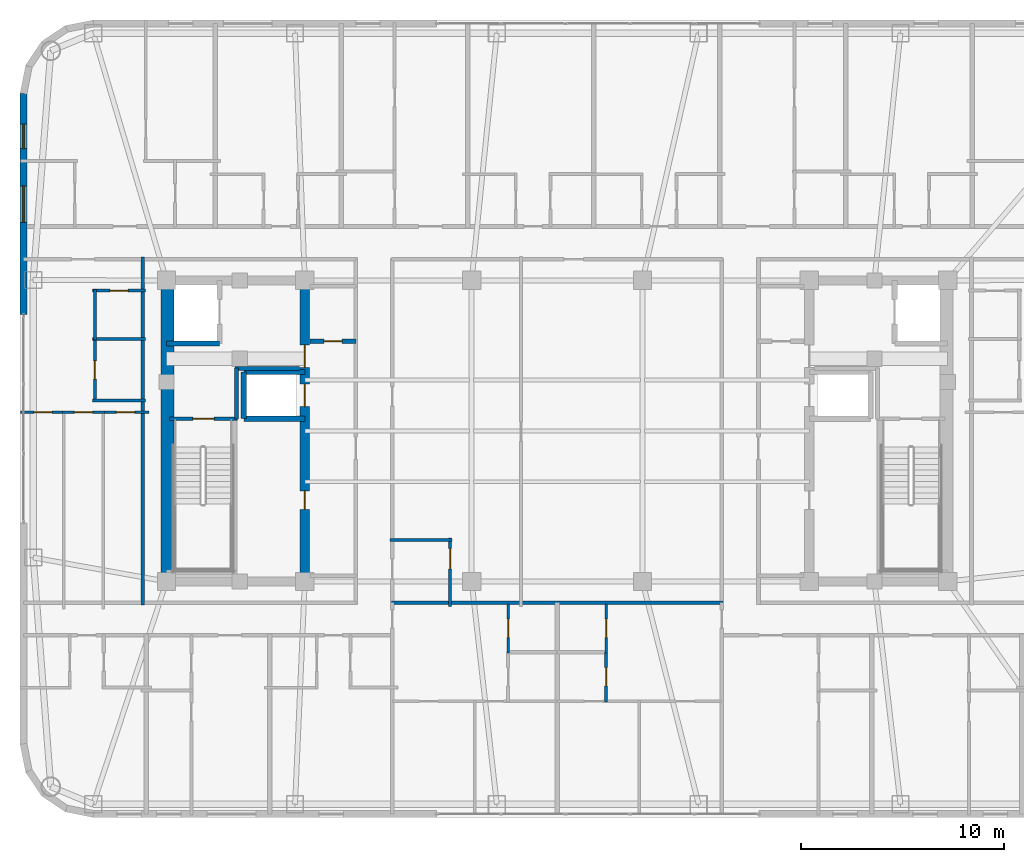
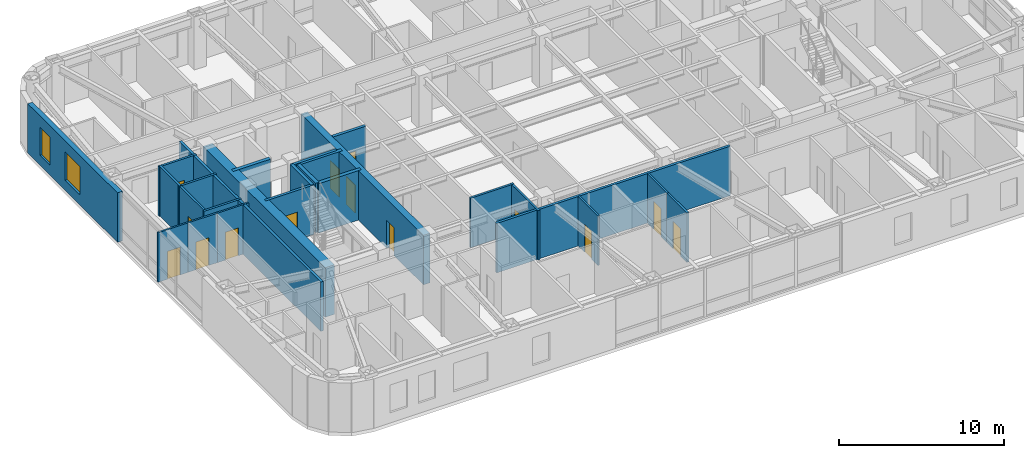
# One storey, part 22 of 29: 26 walls, 14 doors, 2 windows, 16 openings.
"""IFC4 building model written with IfcOpenShell, lengths in metres."""

from ifc_helpers import new_model, si_unit, direction, frame, frame_2d, origin, place, context, subcontext, project, spatial, rectangle, extrude, material, layer, layer_set, type_object, element, fill, save


model = new_model("IFC4")

# Units and contexts
model_context = context("Model", 3, precision=1e-05, world=origin(), true_north=direction((0.0, 1.0)))
body_context = subcontext(model_context, "Body", "Model", "MODEL_VIEW")
ifc_project = project(units=[si_unit("LENGTHUNIT", "METRE"), si_unit("AREAUNIT", "SQUARE_METRE"), si_unit("VOLUMEUNIT", "CUBIC_METRE"), si_unit("PLANEANGLEUNIT", "RADIAN"), si_unit("MASSUNIT", "GRAM", prefix="KILO")], contexts=[model_context])

# Site, building, storey
site_placement = place(None, origin())
site = spatial("IfcSite", under=ifc_project, at=site_placement, CompositionType="ELEMENT")
building_placement = place(site_placement, origin())
building = spatial("IfcBuilding", under=site, at=building_placement, Name="Voryun Gate Residences", CompositionType="ELEMENT")
storey_placement = place(building_placement, frame((0.0, 0.0, 211.89990234375)))
storey = spatial("IfcBuildingStorey", under=building, at=storey_placement, Name="L52", CompositionType="ELEMENT", Elevation=211.89990234375)

# Wall, openings, doors
ifc_material_1 = material(Name="Concrete C50/60", Category="concrete")
ifc_layer_1 = layer(ifc_material_1, 0.449951171875, Name="CW_CORE_450")
ifc_layer_set_1 = layer_set([ifc_layer_1], Name="Concrete C50/60")
wall_type_1 = type_object("IfcWallType", Name="CW_CORE_450", PredefinedType="SHEAR", material=ifc_layer_set_1)
wall_1_placement = place(storey_placement, frame((-12.39990234375, -7.39990234375, 0.0), z_axis=(0.0, 0.0, 1.0), x_axis=(0.0, 1.0, 0.0)))
wall_1 = element("IfcWall", 1, at=wall_1_placement, inside=storey, type_object=wall_type_1, Name="L52 Core shear wall CW-L52-WE", PredefinedType="SHEAR", context=body_context, shape_type="SweptSolid", body=[
    extrude(rectangle(XDim=14.7998046875, YDim=0.449951171875, at=frame_2d((7.39990234375, 0.0))), origin(), (0.0, 0.0, 1.0), 3.650146484375),
])
opening_1_placement = place(wall_1_placement, frame((8.60009765625, 0.0, 0.0)))
opening_1 = element("IfcOpeningElement", 2, at=opening_1_placement, cuts=wall_1, Name="Opening LD2", PredefinedType="OPENING", context=body_context, shape_type="SweptSolid", body=[
    extrude(rectangle(XDim=1.10009765625, YDim=2.050048828125, at=frame_2d((0.550048828125, 1.02490234375))), frame((0.0, 0.235107421875, 0.0), z_axis=(0.0, -1.0, 0.0), x_axis=(1.0, 0.0, 0.0)), (0.0, 0.0, 1.0), 0.469970703125),
])
opening_2_placement = place(wall_1_placement, frame((10.530029296875, 0.0, 0.0)))
opening_2 = element("IfcOpeningElement", 3, at=opening_2_placement, cuts=wall_1, Name="Opening D-FD60-2", PredefinedType="OPENING", context=body_context, shape_type="SweptSolid", body=[
    extrude(rectangle(XDim=1.10009765625, YDim=2.050048828125, at=frame_2d((0.550048828125, 1.02490234375))), frame((0.0, 0.235107421875, 0.0), z_axis=(0.0, -1.0, 0.0), x_axis=(1.0, 0.0, 0.0)), (0.0, 0.0, 1.0), 0.469970703125),
])
opening_3_placement = place(wall_1_placement, frame((3.550048828125, 0.0, 0.0)))
opening_3 = element("IfcOpeningElement", 4, at=opening_3_placement, cuts=wall_1, Name="Opening D-FD60-4", PredefinedType="OPENING", context=body_context, shape_type="SweptSolid", body=[
    extrude(rectangle(XDim=0.89990234375, YDim=2.050048828125, at=frame_2d((0.449951171875, 1.02490234375))), frame((0.0, 0.235107421875, 0.0), z_axis=(0.0, -1.0, 0.0), x_axis=(1.0, 0.0, 0.0)), (0.0, 0.0, 1.0), 0.469970703125),
])
ifc_material_2 = material(Name="Painted steel fire door", Category="steel")
door_type_1 = type_object("IfcDoorType", Name="DR_FD60_FFLOB_1100", OperationType="NOTDEFINED", PredefinedType="DOOR", material=ifc_material_2)
door_1_placement = place(opening_2_placement, origin())
door_1 = element("IfcDoor", 5, at=door_1_placement, inside=storey, type_object=door_type_1, Name="Door DR-L52-CLOB-W", OperationType="SINGLE_SWING_LEFT", OverallHeight=2.050048828125, OverallWidth=1.10009765625, PredefinedType="DOOR", context=body_context, shape_type="SweptSolid", body=[
    extrude(rectangle(XDim=1.10009765625, YDim=2.050048828125, at=frame_2d((0.550048828125, 1.02490234375))), frame((0.0, 0.02490234375, 0.0), z_axis=(0.0, -1.0, 0.0), x_axis=(1.0, 0.0, 0.0)), (0.0, 0.0, 1.0), 0.050048828125),
])
fill(opening_2, door_1)
ifc_material_3 = material(Name="Painted steel fire door", Category="steel")
door_type_2 = type_object("IfcDoorType", Name="DR_FD60_RISER_900", OperationType="NOTDEFINED", PredefinedType="DOOR", material=ifc_material_3)
door_2_placement = place(opening_3_placement, origin())
door_2 = element("IfcDoor", 6, at=door_2_placement, inside=storey, type_object=door_type_2, Name="Door DR-L52-RECW-HI", OperationType="SINGLE_SWING_LEFT", OverallHeight=2.050048828125, OverallWidth=0.89990234375, PredefinedType="DOOR", context=body_context, shape_type="SweptSolid", body=[
    extrude(rectangle(XDim=0.89990234375, YDim=2.050048828125, at=frame_2d((0.449951171875, 1.02490234375))), frame((0.0, 0.02490234375, 0.0), z_axis=(0.0, -1.0, 0.0), x_axis=(1.0, 0.0, 0.0)), (0.0, 0.0, 1.0), 0.050048828125),
])
fill(opening_3, door_2)
ifc_material_4 = material(Name="Anodised aluminium", Category="aluminium")
door_type_3 = type_object("IfcDoorType", Name="DR_LD_PASS_1100", OperationType="NOTDEFINED", PredefinedType="DOOR", material=ifc_material_4)
door_3_placement = place(opening_1_placement, origin())
door_3 = element("IfcDoor", 7, at=door_3_placement, inside=storey, type_object=door_type_3, Name="Lift EL-P7 sliding landing door L52", OperationType="SLIDING_TO_LEFT", OverallHeight=2.050048828125, OverallWidth=1.10009765625, PredefinedType="DOOR", context=body_context, shape_type="SweptSolid", body=[
    extrude(rectangle(XDim=1.10009765625, YDim=2.050048828125, at=frame_2d((0.550048828125, 1.02490234375))), frame((0.0, 0.02490234375, 0.0), z_axis=(0.0, -1.0, 0.0), x_axis=(1.0, 0.0, 0.0)), (0.0, 0.0, 1.0), 0.050048828125),
])
fill(opening_1, door_3)

# Wall
ifc_material_5 = material(Name="Concrete C60/75", Category="concrete")
ifc_layer_2 = layer(ifc_material_5, 0.64990234375, Name="CW_CORE_650")
ifc_layer_set_2 = layer_set([ifc_layer_2], Name="Concrete C60/75")
wall_type_2 = type_object("IfcWallType", Name="CW_CORE_650", PredefinedType="SHEAR", material=ifc_layer_set_2)
wall_2_placement = place(storey_placement, frame((-19.14501953125, -7.39990234375, 0.0), z_axis=(0.0, 0.0, 1.0), x_axis=(0.0, 1.0, 0.0)))
element("IfcWall", 8, at=wall_2_placement, inside=storey, type_object=wall_type_2, Name="L52 Core shear wall CW-L52-WW", PredefinedType="SHEAR", context=body_context, shape_type="SweptSolid", body=[
    extrude(rectangle(XDim=14.7998046875, YDim=0.64990234375, at=frame_2d((7.39990234375, 0.0))), origin(), (0.0, 0.0, 1.0), 3.650146484375),
])

# Wall, opening, door
ifc_material_6 = material(Name="Gypsum acoustic fireboard")
ifc_layer_3 = layer(ifc_material_6, 0.179931640625, Name="W_CORR_RATED_180")
ifc_layer_set_3 = layer_set([ifc_layer_3], Name="Gypsum acoustic fireboard")
wall_type_3 = type_object("IfcWallType", Name="W_CORR_RATED_180", PredefinedType="PARTITIONING", material=ifc_layer_set_3)
wall_3_placement = place(storey_placement, frame((-19.06005859375, 0.60009765625, 0.0), z_axis=(0.0, 0.0, 1.0), x_axis=(1.0, 0.0, 0.0)))
wall_3 = element("IfcWall", 9, at=wall_3_placement, inside=storey, type_object=wall_type_3, Name="Partition wall WP-L52-STV-W", PredefinedType="PARTITIONING", context=body_context, shape_type="SweptSolid", body=[
    extrude(rectangle(XDim=3.360107421875, YDim=0.179931640625, at=frame_2d((1.68017578125, 0.0))), origin(), (0.0, 0.0, 1.0), 3.650146484375),
])
opening_4_placement = place(wall_3_placement, frame((1.155029296875, 0.0, 0.0)))
opening_4 = element("IfcOpeningElement", 10, at=opening_4_placement, cuts=wall_3, Name="Opening D-FD60-1", PredefinedType="OPENING", context=body_context, shape_type="SweptSolid", body=[
    extrude(rectangle(XDim=1.050048828125, YDim=2.050048828125, at=frame_2d((0.52490234375, 1.02490234375))), frame((0.0, 0.099853515625, 0.0), z_axis=(0.0, -1.0, 0.0), x_axis=(1.0, 0.0, 0.0)), (0.0, 0.0, 1.0), 0.199951171875),
])
ifc_material_7 = material(Name="Painted steel fire door", Category="steel")
door_type_4 = type_object("IfcDoorType", Name="DR_FD60_STAIR_1050", OperationType="NOTDEFINED", PredefinedType="DOOR", material=ifc_material_7)
door_4_placement = place(opening_4_placement, origin())
door_4 = element("IfcDoor", 11, at=door_4_placement, inside=storey, type_object=door_type_4, Name="Door DR-L52-ST-W", OperationType="SINGLE_SWING_LEFT", OverallHeight=2.050048828125, OverallWidth=1.050048828125, PredefinedType="DOOR", context=body_context, shape_type="SweptSolid", body=[
    extrude(rectangle(XDim=1.050048828125, YDim=2.050048828125, at=frame_2d((0.52490234375, 1.02490234375))), frame((0.0, 0.02490234375, 0.0), z_axis=(0.0, -1.0, 0.0), x_axis=(1.0, 0.0, 0.0)), (0.0, 0.0, 1.0), 0.050048828125),
])
fill(opening_4, door_4)

# Walls
wall_4_placement = place(storey_placement, frame((-8.14990234375, -8.43994140625, 0.0), z_axis=(0.0, 0.0, 1.0), x_axis=(1.0, 0.0, 0.0)))
element("IfcWall", 12, at=wall_4_placement, inside=storey, type_object=wall_type_3, Name="Partition wall WP-L52-Z3S", PredefinedType="PARTITIONING", context=body_context, shape_type="SweptSolid", body=[
    extrude(rectangle(XDim=16.2998046875, YDim=0.179931640625, at=frame_2d((8.14990234375, 0.0))), origin(), (0.0, 0.0, 1.0), 3.650146484375),
])
wall_5_placement = place(storey_placement, frame((-20.3701171875, -8.56005859375, 0.0), z_axis=(0.0, 0.0, 1.0), x_axis=(0.0, 1.0, 0.0)))
element("IfcWall", 13, at=wall_5_placement, inside=storey, type_object=wall_type_3, Name="Partition wall WP-L52-WCOR", PredefinedType="PARTITIONING", context=body_context, shape_type="SweptSolid", body=[
    extrude(rectangle(XDim=17.1201171875, YDim=0.179931640625, at=frame_2d((8.56005859375, 0.0))), origin(), (0.0, 0.0, 1.0), 3.650146484375),
])

# Wall, openings, windows
ifc_material_8 = material(Name="Charcoal terracotta masonry", Category="masonry")
ifc_layer_4 = layer(ifc_material_8, 0.340087890625, Name="W_EXT_TERRACOTTA_340")
ifc_layer_set_4 = layer_set([ifc_layer_4], Name="Charcoal terracotta masonry")
wall_type_4 = type_object("IfcWallType", Name="W_EXT_TERRACOTTA_340", PredefinedType="ELEMENTEDWALL", material=ifc_layer_set_4)
wall_6_placement = place(storey_placement, frame((-26.22998046875, 5.714599609375, 0.0), z_axis=(0.0, 0.0, 1.0), x_axis=(0.0, 1.0, 0.0)))
wall_6 = element("IfcWall", 14, at=wall_6_placement, inside=storey, type_object=wall_type_4, Name="Exterior wall WEXT-L52-06B", PredefinedType="ELEMENTEDWALL", context=body_context, shape_type="SweptSolid", body=[
    extrude(rectangle(XDim=10.86865234375, YDim=0.340087890625, at=frame_2d((5.434326171875, 0.0))), origin(), (0.0, 0.0, 1.0), 3.650146484375),
])
opening_5_placement = place(wall_6_placement, frame((4.5341796875, 0.0, 0.75)))
opening_5 = element("IfcOpeningElement", 15, at=opening_5_placement, cuts=wall_6, Name="Opening WN1", PredefinedType="OPENING", context=body_context, shape_type="SweptSolid", body=[
    extrude(rectangle(XDim=1.800048828125, YDim=2.10009765625, at=frame_2d((0.89990234375, 1.050048828125))), frame((0.0, 0.179931640625, 0.0), z_axis=(0.0, -1.0, 0.0), x_axis=(1.0, 0.0, 0.0)), (0.0, 0.0, 1.0), 0.360107421875),
])
opening_6_placement = place(wall_6_placement, frame((8.1669921875, 0.0, 0.75)))
opening_6 = element("IfcOpeningElement", 16, at=opening_6_placement, cuts=wall_6, Name="Opening WN6", PredefinedType="OPENING", context=body_context, shape_type="SweptSolid", body=[
    extrude(rectangle(XDim=1.199951171875, YDim=2.050048828125, at=frame_2d((0.60009765625, 1.02490234375))), frame((0.0, 0.179931640625, 0.0), z_axis=(0.0, -1.0, 0.0), x_axis=(1.0, 0.0, 0.0)), (0.0, 0.0, 1.0), 0.360107421875),
])
ifc_material_9 = material(Name="Laminated low-E glass", Category="glass")
window_type_1 = type_object("IfcWindowType", Name="WN_POD_SLOT_1200", PartitioningType="SINGLE_PANEL", PredefinedType="WINDOW", material=ifc_material_9)
window_1_placement = place(opening_6_placement, origin())
window_1 = element("IfcWindow", 17, at=window_1_placement, inside=storey, type_object=window_type_1, Name="Window WN-L52-DWFIX-01", OverallHeight=2.050048828125, OverallWidth=1.199951171875, PartitioningType="SINGLE_PANEL", PredefinedType="WINDOW", context=body_context, shape_type="SweptSolid", body=[
    extrude(rectangle(XDim=1.199951171875, YDim=2.050048828125, at=frame_2d((0.60009765625, 1.02490234375))), frame((0.0, 0.030029296875, 0.0), z_axis=(0.0, -1.0, 0.0), x_axis=(1.0, 0.0, 0.0)), (0.0, 0.0, 1.0), 0.06005859375),
])
fill(opening_6, window_1)
ifc_material_10 = material(Name="Laminated low-E glass", Category="glass")
window_type_2 = type_object("IfcWindowType", Name="WN_RES_PUNCH_1800", PartitioningType="SINGLE_PANEL", PredefinedType="WINDOW", material=ifc_material_10)
window_2_placement = place(opening_5_placement, origin())
window_2 = element("IfcWindow", 18, at=window_2_placement, inside=storey, type_object=window_type_2, Name="Window WN-WEXT-L52-06B-01", OverallHeight=2.10009765625, OverallWidth=1.800048828125, PartitioningType="SINGLE_PANEL", PredefinedType="WINDOW", context=body_context, shape_type="SweptSolid", body=[
    extrude(rectangle(XDim=1.800048828125, YDim=2.10009765625, at=frame_2d((0.89990234375, 1.050048828125))), frame((0.0, 0.030029296875, 0.0), z_axis=(0.0, -1.0, 0.0), x_axis=(1.0, 0.0, 0.0)), (0.0, 0.0, 1.0), 0.06005859375),
])
fill(opening_5, window_2)

# Walls
ifc_material_11 = material(Name="Concrete C40/50", Category="concrete")
ifc_layer_5 = layer(ifc_material_11, 0.199951171875, Name="W_FF_LOBBY_200")
ifc_layer_set_5 = layer_set([ifc_layer_5], Name="Concrete C40/50")
wall_type_5 = type_object("IfcWallType", Name="W_FF_LOBBY_200", PredefinedType="PARTITIONING", material=ifc_layer_set_5)
wall_7_placement = place(storey_placement, frame((-15.760009765625, 0.580078125, 0.0), z_axis=(0.0, 0.0, 1.0), x_axis=(0.0, 1.0, 0.0)))
element("IfcWall", 19, at=wall_7_placement, inside=storey, type_object=wall_type_5, Name="Partition wall WP-L52-FFP0-W", PredefinedType="PARTITIONING", context=body_context, shape_type="SweptSolid", body=[
    extrude(rectangle(XDim=2.52001953125, YDim=0.199951171875, at=frame_2d((1.260009765625, 0.0))), origin(), (0.0, 0.0, 1.0), 3.650146484375),
])
wall_8_placement = place(storey_placement, frame((-15.820068359375, 3.06005859375, 0.0), z_axis=(0.0, 0.0, 1.0), x_axis=(1.0, 0.0, 0.0)))
element("IfcWall", 20, at=wall_8_placement, inside=storey, type_object=wall_type_5, Name="Partition wall WP-L52-FFPS-W", PredefinedType="PARTITIONING", context=body_context, shape_type="SweptSolid", body=[
    extrude(rectangle(XDim=3.16015625, YDim=0.199951171875, at=frame_2d((1.580078125, 0.0))), origin(), (0.0, 0.0, 1.0), 3.650146484375),
])

# Wall, opening, door
wall_9_placement = place(storey_placement, frame((-12.14990234375, 4.409912109375, 0.0), z_axis=(0.0, 0.0, 1.0), x_axis=(1.0, 0.0, 0.0)))
wall_9 = element("IfcWall", 21, at=wall_9_placement, inside=storey, type_object=wall_type_5, Name="Partition wall WP-L52-CSFLKS-W", PredefinedType="PARTITIONING", context=body_context, shape_type="SweptSolid", body=[
    extrude(rectangle(XDim=2.27001953125, YDim=0.199951171875, at=frame_2d((1.135009765625, 0.0))), origin(), (0.0, 0.0, 1.0), 3.650146484375),
])
opening_7_placement = place(wall_9_placement, frame((0.68505859375, 0.0, 0.0)))
opening_7 = element("IfcOpeningElement", 22, at=opening_7_placement, cuts=wall_9, Name="Opening D-FD60-4", PredefinedType="OPENING", context=body_context, shape_type="SweptSolid", body=[
    extrude(rectangle(XDim=0.89990234375, YDim=2.050048828125, at=frame_2d((0.449951171875, 1.02490234375))), frame((0.0, 0.110107421875, 0.0), z_axis=(0.0, -1.0, 0.0), x_axis=(1.0, 0.0, 0.0)), (0.0, 0.0, 1.0), 0.219970703125),
])
door_5_placement = place(opening_7_placement, origin())
door_5 = element("IfcDoor", 23, at=door_5_placement, inside=storey, type_object=door_type_2, Name="Door DR-L52-CSFLK-W", OperationType="SINGLE_SWING_LEFT", OverallHeight=2.050048828125, OverallWidth=0.89990234375, PredefinedType="DOOR", context=body_context, shape_type="SweptSolid", body=[
    extrude(rectangle(XDim=0.89990234375, YDim=2.050048828125, at=frame_2d((0.449951171875, 1.02490234375))), frame((0.0, 0.02490234375, 0.0), z_axis=(0.0, -1.0, 0.0), x_axis=(1.0, 0.0, 0.0)), (0.0, 0.0, 1.0), 0.050048828125),
])
fill(opening_7, door_5)

# Walls
ifc_material_12 = material(Name="Concrete C50/60", Category="concrete")
ifc_layer_6 = layer(ifc_material_12, 0.25, Name="W_SHAFT_RC250")
ifc_layer_set_6 = layer_set([ifc_layer_6], Name="Concrete C50/60")
wall_type_6 = type_object("IfcWallType", Name="W_SHAFT_RC250", PredefinedType="SOLIDWALL", material=ifc_layer_set_6)
wall_10_placement = place(storey_placement, frame((-19.199951171875, 4.300048828125, 0.0), z_axis=(0.0, 0.0, 1.0), x_axis=(1.0, 0.0, 0.0)))
element("IfcWall", 24, at=wall_10_placement, inside=storey, type_object=wall_type_6, Name="Lift shaft wall WSH-L52-EL-FF-W1-S", PredefinedType="SOLIDWALL", context=body_context, shape_type="SweptSolid", body=[
    extrude(rectangle(XDim=2.599853515625, YDim=0.25, at=frame_2d((1.2998046875, 0.0))), origin(), (0.0, 0.0, 1.0), 3.650146484375),
])
for number, where, z_axis, x_axis, name in (
    (25, (-15.39990234375, 0.60009765625, 0.0), (0.0, 0.0, 1.0), (1.0, 0.0, 0.0), "Lift shaft wall WSH-L52-EL-P7-S"),
    (26, (-12.39990234375, 2.89990234375, 0.0), (0.0, 0.0, 1.0), (-1.0, 0.0, 0.0), "Lift shaft wall WSH-L52-EL-P7-N"),
):
    element("IfcWall", number, at=place(storey_placement, frame(where, z_axis=z_axis, x_axis=x_axis)), inside=storey, type_object=wall_type_6, Name=name, PredefinedType="SOLIDWALL", context=body_context, shape_type="SweptSolid", body=[
        extrude(rectangle(XDim=3.0, YDim=0.25, at=frame_2d((1.5, 0.0))), origin(), (0.0, 0.0, 1.0), 3.650146484375),
    ])
wall_11_placement = place(storey_placement, frame((-15.39990234375, 2.89990234375, 0.0), z_axis=(0.0, 0.0, 1.0), x_axis=(0.0, -1.0, 0.0)))
element("IfcWall", 27, at=wall_11_placement, inside=storey, type_object=wall_type_6, Name="Lift shaft wall WSH-L52-EL-P7-W", PredefinedType="SOLIDWALL", context=body_context, shape_type="SweptSolid", body=[
    extrude(rectangle(XDim=2.2998046875, YDim=0.25, at=frame_2d((1.14990234375, 0.0))), origin(), (0.0, 0.0, 1.0), 3.650146484375),
])

# Wall, opening, door
ifc_material_13 = material(Name="Gypsum acoustic partition")
ifc_layer_7 = layer(ifc_material_13, 0.125, Name="W_UNIT_PART_125")
ifc_layer_set_7 = layer_set([ifc_layer_7], Name="Gypsum acoustic partition")
wall_type_7 = type_object("IfcWallType", Name="W_UNIT_PART_125", PredefinedType="PARTITIONING", material=ifc_layer_set_7)
wall_12_placement = place(storey_placement, frame((-2.409912109375, -10.909912109375, 0.0), z_axis=(0.0, 0.0, 1.0), x_axis=(0.0, 1.0, 0.0)))
wall_12 = element("IfcWall", 28, at=wall_12_placement, inside=storey, type_object=wall_type_7, Name="Partition wall WP-L52-SC1-VK1", PredefinedType="PARTITIONING", context=body_context, shape_type="SweptSolid", body=[
    extrude(rectangle(XDim=2.409912109375, YDim=0.125, at=frame_2d((1.205078125, 0.0))), origin(), (0.0, 0.0, 1.0), 3.650146484375),
])
opening_8_placement = place(wall_12_placement, frame((0.7548828125, 0.0, 0.0)))
opening_8 = element("IfcOpeningElement", 29, at=opening_8_placement, cuts=wall_12, Name="Opening D-INT-2", PredefinedType="OPENING", context=body_context, shape_type="SweptSolid", body=[
    extrude(rectangle(XDim=0.89990234375, YDim=2.050048828125, at=frame_2d((0.449951171875, 1.02490234375))), frame((0.0, 0.072509765625, 0.0), z_axis=(0.0, -1.0, 0.0), x_axis=(1.0, 0.0, 0.0)), (0.0, 0.0, 1.0), 0.14501953125),
])
ifc_material_14 = material(Name="Architectural oak veneer")
door_type_5 = type_object("IfcDoorType", Name="DR_INT_BATH_900", OperationType="NOTDEFINED", PredefinedType="DOOR", material=ifc_material_14)
door_6_placement = place(opening_8_placement, origin())
door_6 = element("IfcDoor", 30, at=door_6_placement, inside=storey, type_object=door_type_5, Name="Door DR-L52-SC1-DK", OperationType="SINGLE_SWING_LEFT", OverallHeight=2.050048828125, OverallWidth=0.89990234375, PredefinedType="DOOR", context=body_context, shape_type="SweptSolid", body=[
    extrude(rectangle(XDim=0.89990234375, YDim=2.050048828125, at=frame_2d((0.449951171875, 1.02490234375))), frame((0.0, 0.02490234375, 0.0), z_axis=(0.0, -1.0, 0.0), x_axis=(1.0, 0.0, 0.0)), (0.0, 0.0, 1.0), 0.050048828125),
])
fill(opening_8, door_6)

wall_13_placement = place(storey_placement, frame((2.409912109375, -10.909912109375, 0.0), z_axis=(0.0, 0.0, 1.0), x_axis=(0.0, 1.0, 0.0)))
wall_13 = element("IfcWall", 31, at=wall_13_placement, inside=storey, type_object=wall_type_7, Name="Partition wall WP-L52-SC2-VK1", PredefinedType="PARTITIONING", context=body_context, shape_type="SweptSolid", body=[
    extrude(rectangle(XDim=2.409912109375, YDim=0.125, at=frame_2d((1.205078125, 0.0))), origin(), (0.0, 0.0, 1.0), 3.650146484375),
])
opening_9_placement = place(wall_13_placement, frame((0.7548828125, 0.0, 0.0)))
opening_9 = element("IfcOpeningElement", 32, at=opening_9_placement, cuts=wall_13, Name="Opening D-INT-2", PredefinedType="OPENING", context=body_context, shape_type="SweptSolid", body=[
    extrude(rectangle(XDim=0.89990234375, YDim=2.050048828125, at=frame_2d((0.449951171875, 1.02490234375))), frame((0.0, 0.072509765625, 0.0), z_axis=(0.0, -1.0, 0.0), x_axis=(1.0, 0.0, 0.0)), (0.0, 0.0, 1.0), 0.14501953125),
])
door_7_placement = place(opening_9_placement, origin())
door_7 = element("IfcDoor", 33, at=door_7_placement, inside=storey, type_object=door_type_5, Name="Door DR-L52-SC2-DK", OperationType="SINGLE_SWING_LEFT", OverallHeight=2.050048828125, OverallWidth=0.89990234375, PredefinedType="DOOR", context=body_context, shape_type="SweptSolid", body=[
    extrude(rectangle(XDim=0.89990234375, YDim=2.050048828125, at=frame_2d((0.449951171875, 1.02490234375))), frame((0.0, 0.02490234375, 0.0), z_axis=(0.0, -1.0, 0.0), x_axis=(1.0, 0.0, 0.0)), (0.0, 0.0, 1.0), 0.050048828125),
])
fill(opening_9, door_7)

wall_14_placement = place(storey_placement, frame((-26.3798828125, 0.909912109375, 0.0), z_axis=(0.0, 0.0, 1.0), x_axis=(1.0, 0.0, 0.0)))
wall_14 = element("IfcWall", 34, at=wall_14_placement, inside=storey, type_object=wall_type_7, Name="Partition wall WP-L52-W1-HZMB1", PredefinedType="PARTITIONING", context=body_context, shape_type="SweptSolid", body=[
    extrude(rectangle(XDim=2.200439453125, YDim=0.125, at=frame_2d((1.10009765625, 0.0))), origin(), (0.0, 0.0, 1.0), 3.650146484375),
])
opening_10_placement = place(wall_14_placement, frame((0.658935546875, 0.0, 0.0)))
opening_10 = element("IfcOpeningElement", 35, at=opening_10_placement, cuts=wall_14, Name="Opening D-INT-2", PredefinedType="OPENING", context=body_context, shape_type="SweptSolid", body=[
    extrude(rectangle(XDim=0.89990234375, YDim=2.050048828125, at=frame_2d((0.449951171875, 1.02490234375))), frame((0.0, 0.072509765625, 0.0), z_axis=(0.0, -1.0, 0.0), x_axis=(1.0, 0.0, 0.0)), (0.0, 0.0, 1.0), 0.14501953125),
])
door_8_placement = place(opening_10_placement, origin())
door_8 = element("IfcDoor", 36, at=door_8_placement, inside=storey, type_object=door_type_5, Name="Door DR-L52-W1-DMB", OperationType="SINGLE_SWING_LEFT", OverallHeight=2.050048828125, OverallWidth=0.89990234375, PredefinedType="DOOR", context=body_context, shape_type="SweptSolid", body=[
    extrude(rectangle(XDim=0.89990234375, YDim=2.050048828125, at=frame_2d((0.449951171875, 1.02490234375))), frame((0.0, 0.02490234375, 0.0), z_axis=(0.0, -1.0, 0.0), x_axis=(1.0, 0.0, 0.0)), (0.0, 0.0, 1.0), 0.050048828125),
])
fill(opening_10, door_8)

wall_15_placement = place(storey_placement, frame((-24.304443359375, 0.909912109375, 0.0), z_axis=(0.0, 0.0, 1.0), x_axis=(1.0, 0.0, 0.0)))
wall_15 = element("IfcWall", 37, at=wall_15_placement, inside=storey, type_object=wall_type_7, Name="Partition wall WP-L52-W1-HZMB2", PredefinedType="PARTITIONING", context=body_context, shape_type="SweptSolid", body=[
    extrude(rectangle(XDim=2.06103515625, YDim=0.125, at=frame_2d((1.030517578125, 0.0))), origin(), (0.0, 0.0, 1.0), 3.650146484375),
])
opening_11_placement = place(wall_15_placement, frame((0.58056640625, 0.0, 0.0)))
opening_11 = element("IfcOpeningElement", 38, at=opening_11_placement, cuts=wall_15, Name="Opening D-INT-2", PredefinedType="OPENING", context=body_context, shape_type="SweptSolid", body=[
    extrude(rectangle(XDim=0.89990234375, YDim=2.050048828125, at=frame_2d((0.449951171875, 1.02490234375))), frame((0.0, 0.072509765625, 0.0), z_axis=(0.0, -1.0, 0.0), x_axis=(1.0, 0.0, 0.0)), (0.0, 0.0, 1.0), 0.14501953125),
])
door_9_placement = place(opening_11_placement, origin())
door_9 = element("IfcDoor", 39, at=door_9_placement, inside=storey, type_object=door_type_5, Name="Door DR-L52-W1-DBD2", OperationType="SINGLE_SWING_RIGHT", OverallHeight=2.050048828125, OverallWidth=0.89990234375, PredefinedType="DOOR", context=body_context, shape_type="SweptSolid", body=[
    extrude(rectangle(XDim=0.89990234375, YDim=2.050048828125, at=frame_2d((0.449951171875, 1.02490234375))), frame((0.0, 0.02490234375, 0.0), z_axis=(0.0, -1.0, 0.0), x_axis=(1.0, 0.0, 0.0)), (0.0, 0.0, 1.0), 0.050048828125),
])
fill(opening_11, door_9)

wall_16_placement = place(storey_placement, frame((-22.368408203125, 0.909912109375, 0.0), z_axis=(0.0, 0.0, 1.0), x_axis=(1.0, 0.0, 0.0)))
wall_16 = element("IfcWall", 40, at=wall_16_placement, inside=storey, type_object=wall_type_7, Name="Partition wall WP-L52-W1-HZMB3", PredefinedType="PARTITIONING", context=body_context, shape_type="SweptSolid", body=[
    extrude(rectangle(XDim=2.318359375, YDim=0.125, at=frame_2d((1.1591796875, 0.0))), origin(), (0.0, 0.0, 1.0), 3.650146484375),
])
opening_12_placement = place(wall_16_placement, frame((0.700439453125, 0.0, 0.0)))
opening_12 = element("IfcOpeningElement", 41, at=opening_12_placement, cuts=wall_16, Name="Opening D-INT-2", PredefinedType="OPENING", context=body_context, shape_type="SweptSolid", body=[
    extrude(rectangle(XDim=0.89990234375, YDim=2.050048828125, at=frame_2d((0.449951171875, 1.02490234375))), frame((0.0, 0.072509765625, 0.0), z_axis=(0.0, -1.0, 0.0), x_axis=(1.0, 0.0, 0.0)), (0.0, 0.0, 1.0), 0.14501953125),
])
door_10_placement = place(opening_12_placement, origin())
door_10 = element("IfcDoor", 42, at=door_10_placement, inside=storey, type_object=door_type_5, Name="Door DR-L52-W1-DBD3", OperationType="SINGLE_SWING_LEFT", OverallHeight=2.050048828125, OverallWidth=0.89990234375, PredefinedType="DOOR", context=body_context, shape_type="SweptSolid", body=[
    extrude(rectangle(XDim=0.89990234375, YDim=2.050048828125, at=frame_2d((0.449951171875, 1.02490234375))), frame((0.0, 0.02490234375, 0.0), z_axis=(0.0, -1.0, 0.0), x_axis=(1.0, 0.0, 0.0)), (0.0, 0.0, 1.0), 0.050048828125),
])
fill(opening_12, door_10)

ifc_material_15 = material(Name="Gypsum moisture-resistant partition")
ifc_layer_8 = layer(ifc_material_15, 0.14990234375, Name="W_WET_PLUMB_150")
ifc_layer_set_8 = layer_set([ifc_layer_8], Name="Gypsum moisture-resistant partition")
wall_type_8 = type_object("IfcWallType", Name="W_WET_PLUMB_150", PredefinedType="PLUMBINGWALL", material=ifc_layer_set_8)
wall_17_placement = place(storey_placement, frame((-5.260009765625, -8.6201171875, 0.0), z_axis=(0.0, 0.0, 1.0), x_axis=(0.0, 1.0, 0.0)))
wall_17 = element("IfcWall", 43, at=wall_17_placement, inside=storey, type_object=wall_type_8, Name="Partition wall WP-L52-CMWCX", PredefinedType="PLUMBINGWALL", context=body_context, shape_type="SweptSolid", body=[
    extrude(rectangle(XDim=3.35009765625, YDim=0.14990234375, at=frame_2d((1.675048828125, 0.0))), origin(), (0.0, 0.0, 1.0), 3.650146484375),
])
opening_13_placement = place(wall_17_placement, frame((1.8349609375, 0.0, 0.0)))
opening_13 = element("IfcOpeningElement", 44, at=opening_13_placement, cuts=wall_17, Name="Opening D-AWC-1", PredefinedType="OPENING", context=body_context, shape_type="SweptSolid", body=[
    extrude(rectangle(XDim=1.0, YDim=2.050048828125, at=frame_2d((0.5, 1.02490234375))), frame((0.0, 0.0849609375, 0.0), z_axis=(0.0, -1.0, 0.0), x_axis=(1.0, 0.0, 0.0)), (0.0, 0.0, 1.0), 0.169921875),
])
ifc_material_16 = material(Name="Architectural oak veneer")
door_type_6 = type_object("IfcDoorType", Name="DR_ACC_WC_1000", OperationType="NOTDEFINED", PredefinedType="DOOR", material=ifc_material_16)
door_11_placement = place(opening_13_placement, origin())
door_11 = element("IfcDoor", 45, at=door_11_placement, inside=storey, type_object=door_type_6, Name="Door DR-L52-CMWC", OperationType="SINGLE_SWING_LEFT", OverallHeight=2.050048828125, OverallWidth=1.0, PredefinedType="DOOR", context=body_context, shape_type="SweptSolid", body=[
    extrude(rectangle(XDim=1.0, YDim=2.050048828125, at=frame_2d((0.5, 1.02490234375))), frame((0.0, 0.02490234375, 0.0), z_axis=(0.0, -1.0, 0.0), x_axis=(1.0, 0.0, 0.0)), (0.0, 0.0, 1.0), 0.050048828125),
])
fill(opening_13, door_11)

# Wall
wall_18_placement = place(storey_placement, frame((-8.2099609375, -5.3701171875, 0.0), z_axis=(0.0, 0.0, 1.0), x_axis=(1.0, 0.0, 0.0)))
element("IfcWall", 46, at=wall_18_placement, inside=storey, type_object=wall_type_8, Name="Partition wall WP-L52-CMWCY", PredefinedType="PLUMBINGWALL", context=body_context, shape_type="SweptSolid", body=[
    extrude(rectangle(XDim=3.050048828125, YDim=0.14990234375, at=frame_2d((1.52490234375, 0.0))), origin(), (0.0, 0.0, 1.0), 3.650146484375),
])

# Wall, opening, door
wall_19_placement = place(storey_placement, frame((2.409912109375, -13.320068359375, 0.0), z_axis=(0.0, 0.0, 1.0), x_axis=(0.0, 1.0, 0.0)))
wall_19 = element("IfcWall", 47, at=wall_19_placement, inside=storey, type_object=wall_type_8, Name="Partition wall WP-L52-SC2-VK2", PredefinedType="PLUMBINGWALL", context=body_context, shape_type="SweptSolid", body=[
    extrude(rectangle(XDim=2.469970703125, YDim=0.14990234375, at=frame_2d((1.23486328125, 0.0))), origin(), (0.0, 0.0, 1.0), 3.650146484375),
])
opening_14_placement = place(wall_19_placement, frame((0.784912109375, 0.0, 0.0)))
opening_14 = element("IfcOpeningElement", 48, at=opening_14_placement, cuts=wall_19, Name="Opening D-INT-2", PredefinedType="OPENING", context=body_context, shape_type="SweptSolid", body=[
    extrude(rectangle(XDim=0.89990234375, YDim=2.050048828125, at=frame_2d((0.449951171875, 1.02490234375))), frame((0.0, 0.0849609375, 0.0), z_axis=(0.0, -1.0, 0.0), x_axis=(1.0, 0.0, 0.0)), (0.0, 0.0, 1.0), 0.169921875),
])
door_12_placement = place(opening_14_placement, origin())
door_12 = element("IfcDoor", 49, at=door_12_placement, inside=storey, type_object=door_type_5, Name="Door DR-L52-SC2-DB", OperationType="SINGLE_SWING_RIGHT", OverallHeight=2.050048828125, OverallWidth=0.89990234375, PredefinedType="DOOR", context=body_context, shape_type="SweptSolid", body=[
    extrude(rectangle(XDim=0.89990234375, YDim=2.050048828125, at=frame_2d((0.449951171875, 1.02490234375))), frame((0.0, 0.02490234375, 0.0), z_axis=(0.0, -1.0, 0.0), x_axis=(1.0, 0.0, 0.0)), (0.0, 0.0, 1.0), 0.050048828125),
])
fill(opening_14, door_12)

wall_20_placement = place(storey_placement, frame((-22.840087890625, 6.89990234375, 0.0), z_axis=(0.0, 0.0, 1.0), x_axis=(1.0, 0.0, 0.0)))
wall_20 = element("IfcWall", 50, at=wall_20_placement, inside=storey, type_object=wall_type_8, Name="Partition wall WP-L52-W1-IBT", PredefinedType="PLUMBINGWALL", context=body_context, shape_type="SweptSolid", body=[
    extrude(rectangle(XDim=2.6201171875, YDim=0.14990234375, at=frame_2d((1.31005859375, 0.0))), origin(), (0.0, 0.0, 1.0), 3.650146484375),
])
opening_15_placement = place(wall_20_placement, frame((0.860107421875, 0.0, 0.0)))
opening_15 = element("IfcOpeningElement", 51, at=opening_15_placement, cuts=wall_20, Name="Opening D-INT-2", PredefinedType="OPENING", context=body_context, shape_type="SweptSolid", body=[
    extrude(rectangle(XDim=0.89990234375, YDim=2.050048828125, at=frame_2d((0.449951171875, 1.02490234375))), frame((0.0, 0.0849609375, 0.0), z_axis=(0.0, -1.0, 0.0), x_axis=(1.0, 0.0, 0.0)), (0.0, 0.0, 1.0), 0.169921875),
])
door_13_placement = place(opening_15_placement, origin())
door_13 = element("IfcDoor", 52, at=door_13_placement, inside=storey, type_object=door_type_5, Name="Door DR-L52-W1-DK", OperationType="SINGLE_SWING_LEFT", OverallHeight=2.050048828125, OverallWidth=0.89990234375, PredefinedType="DOOR", context=body_context, shape_type="SweptSolid", body=[
    extrude(rectangle(XDim=0.89990234375, YDim=2.050048828125, at=frame_2d((0.449951171875, 1.02490234375))), frame((0.0, 0.02490234375, 0.0), z_axis=(0.0, -1.0, 0.0), x_axis=(1.0, 0.0, 0.0)), (0.0, 0.0, 1.0), 0.050048828125),
])
fill(opening_15, door_13)

# Walls
for number, where, z_axis, x_axis, name in (
    (53, (-22.840087890625, 4.52001953125, 0.0), (0.0, 0.0, 1.0), (1.0, 0.0, 0.0), "Partition wall WP-L52-W1-IKB"),
    (54, (-22.840087890625, 1.5, 0.0), (0.0, 0.0, 1.0), (1.0, 0.0, 0.0), "Partition wall WP-L52-W1-IBB"),
):
    element("IfcWall", number, at=place(storey_placement, frame(where, z_axis=z_axis, x_axis=x_axis)), inside=storey, type_object=wall_type_8, Name=name, PredefinedType="PLUMBINGWALL", context=body_context, shape_type="SweptSolid", body=[
        extrude(rectangle(XDim=2.6201171875, YDim=0.14990234375, at=frame_2d((1.31005859375, 0.0))), origin(), (0.0, 0.0, 1.0), 3.650146484375),
    ])

# Wall, opening, door
wall_21_placement = place(storey_placement, frame((-22.719970703125, 1.43994140625, 0.0), z_axis=(0.0, 0.0, 1.0), x_axis=(0.0, 1.0, 0.0)))
wall_21 = element("IfcWall", 55, at=wall_21_placement, inside=storey, type_object=wall_type_8, Name="Partition wall WP-L52-W1-VTSK1", PredefinedType="PLUMBINGWALL", context=body_context, shape_type="SweptSolid", body=[
    extrude(rectangle(XDim=3.1201171875, YDim=0.14990234375, at=frame_2d((1.56005859375, 0.0))), origin(), (0.0, 0.0, 1.0), 3.650146484375),
])
opening_16_placement = place(wall_21_placement, frame((1.110107421875, 0.0, 0.0)))
opening_16 = element("IfcOpeningElement", 56, at=opening_16_placement, cuts=wall_21, Name="Opening D-INT-2", PredefinedType="OPENING", context=body_context, shape_type="SweptSolid", body=[
    extrude(rectangle(XDim=0.89990234375, YDim=2.050048828125, at=frame_2d((0.449951171875, 1.02490234375))), frame((0.0, 0.0849609375, 0.0), z_axis=(0.0, -1.0, 0.0), x_axis=(1.0, 0.0, 0.0)), (0.0, 0.0, 1.0), 0.169921875),
])
door_14_placement = place(opening_16_placement, origin())
door_14 = element("IfcDoor", 57, at=door_14_placement, inside=storey, type_object=door_type_5, Name="Door DR-L52-W1-DB", OperationType="SINGLE_SWING_RIGHT", OverallHeight=2.050048828125, OverallWidth=0.89990234375, PredefinedType="DOOR", context=body_context, shape_type="SweptSolid", body=[
    extrude(rectangle(XDim=0.89990234375, YDim=2.050048828125, at=frame_2d((0.449951171875, 1.02490234375))), frame((0.0, 0.02490234375, 0.0), z_axis=(0.0, -1.0, 0.0), x_axis=(1.0, 0.0, 0.0)), (0.0, 0.0, 1.0), 0.050048828125),
])
fill(opening_16, door_14)

# Wall
wall_22_placement = place(storey_placement, frame((-22.719970703125, 4.47998046875, 0.0), z_axis=(0.0, 0.0, 1.0), x_axis=(0.0, 1.0, 0.0)))
element("IfcWall", 58, at=wall_22_placement, inside=storey, type_object=wall_type_8, Name="Partition wall WP-L52-W1-VTSK2", PredefinedType="PLUMBINGWALL", context=body_context, shape_type="SweptSolid", body=[
    extrude(rectangle(XDim=2.47998046875, YDim=0.14990234375, at=frame_2d((1.239990234375, 0.0))), origin(), (0.0, 0.0, 1.0), 3.650146484375),
])

save(model, "model.ifc")
